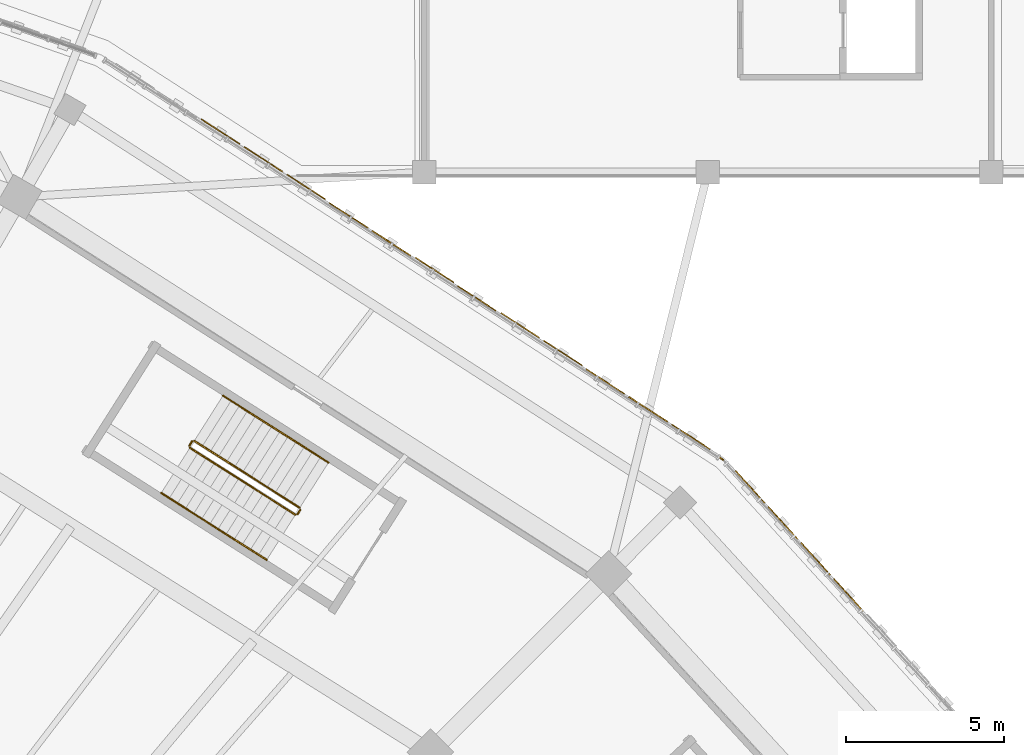
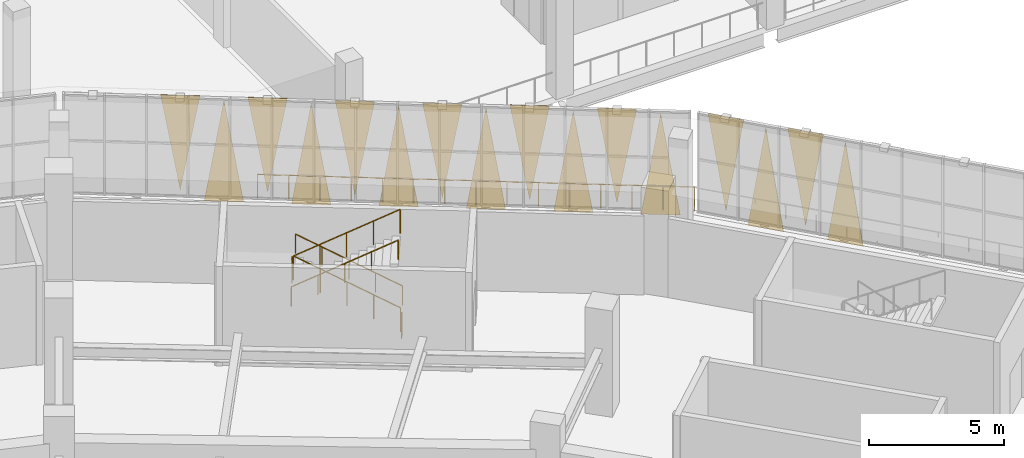
# One storey, part 173 of 179: 16 coverings, 7 railings.
"""IFC4 building model written with IfcOpenShell, lengths in metres."""

import ifcopenshell
import ifcopenshell.guid

model = None  # the IFC model being written
_history = None  # IfcOwnerHistory: only IFC2X3 demands one
_inside = {}  # id of a spatial element -> (the spatial element, [elements in it])
_under = {}  # id of a project, library or spatial element -> (it, [spatial elements below it])
_declared = {}  # id of a project -> (the project, [libraries it declares])
_typed = {}  # id of a type object -> (the type object, [elements of that type])
_made_of = {}  # id of a material, layer set ... -> (it, [elements and type objects made of it])


def new_model(schema):
    """Start an empty IFC model of exactly this schema.

    Asked for "IFC4X3", IfcOpenShell would pick the latest addendum, in which some entities
    have other attributes; the version numbers below select the first issue.
    IFC2X3 requires an IfcOwnerHistory on every rooted entity: one is made here for all.
    """
    global model, _history
    if schema == "IFC4X3":
        model = ifcopenshell.file(schema_version=(4, 3, 0, 0))
    else:
        model = ifcopenshell.file(schema=schema)
    _inside.clear()
    _under.clear()
    _declared.clear()
    _typed.clear()
    _made_of.clear()
    _history = None
    if model.schema == "IFC2X3":
        org = make("IfcOrganization", Name="unknown")
        user = make(
            "IfcPersonAndOrganization",
            ThePerson=make("IfcPerson", FamilyName="unknown"),
            TheOrganization=org,
        )
        app = make(
            "IfcApplication",
            ApplicationDeveloper=org,
            Version="unknown",
            ApplicationFullName="unknown",
            ApplicationIdentifier="unknown",
        )
        _history = make(
            "IfcOwnerHistory",
            OwningUser=user,
            OwningApplication=app,
            ChangeAction="ADDED",
            CreationDate=0,
        )
    return model


def make(cls, **values):
    """One entity of the class cls with the attributes given. An attribute that is None is left unset."""
    return model.create_entity(
        cls, **{name: value for name, value in values.items() if value is not None}
    )


def rooted(cls, **values):
    """An entity with a GlobalId (a new one), such as an element, a storey or a relation."""
    return make(cls, GlobalId=ifcopenshell.guid.new(), OwnerHistory=_history, **values)


def si_unit(unit_type, name, prefix=None):
    """IfcSIUnit, for example si_unit("LENGTHUNIT", "METRE", prefix="MILLI")."""
    return make("IfcSIUnit", UnitType=unit_type, Prefix=prefix, Name=name)


def assignment(units):
    """IfcUnitAssignment: the units of a project."""
    return None if units is None else make("IfcUnitAssignment", Units=units)


def point(xyz):
    """IfcCartesianPoint."""
    return None if xyz is None else make("IfcCartesianPoint", Coordinates=xyz)


def direction(xyz):
    """IfcDirection."""
    return None if xyz is None else make("IfcDirection", DirectionRatios=xyz)


def frame(location, z_axis=None, x_axis=None):
    """IfcAxis2Placement3D, a coordinate frame: its origin and axes. An axis left out is left unset."""
    return make(
        "IfcAxis2Placement3D",
        Location=point(location),
        Axis=direction(z_axis),
        RefDirection=direction(x_axis),
    )


def frame_2d(location, x_axis=None):
    """IfcAxis2Placement2D, a coordinate frame in the plane: its origin and x axis."""
    return make(
        "IfcAxis2Placement2D", Location=point(location), RefDirection=direction(x_axis)
    )


def origin():
    """The frame at (0, 0, 0) with its axes left unset."""
    return frame((0.0, 0.0, 0.0))


def origin_2d():
    """The frame at (0, 0) in the plane with its x axis left unset."""
    return frame_2d((0.0, 0.0))


def place(relative_to, where):
    """IfcLocalPlacement: puts the frame where relative to a parent placement (None: the world)."""
    return make(
        "IfcLocalPlacement", PlacementRelTo=relative_to, RelativePlacement=where
    )


def context(
    kind, dimensions, precision=None, world=None, true_north=None, identifier=None
):
    """IfcGeometricRepresentationContext, for example the 3D "Model" context."""
    return make(
        "IfcGeometricRepresentationContext",
        ContextIdentifier=identifier,
        ContextType=kind,
        CoordinateSpaceDimension=dimensions,
        Precision=precision,
        WorldCoordinateSystem=world,
        TrueNorth=true_north,
    )


def subcontext(parent, identifier, kind, view, scale=None):
    """IfcGeometricRepresentationSubContext, for example "Body" below "Model"."""
    return make(
        "IfcGeometricRepresentationSubContext",
        ContextIdentifier=identifier,
        ContextType=kind,
        ParentContext=parent,
        TargetScale=scale,
        TargetView=view,
    )


def project(units=None, contexts=None):
    """IfcProject with its units and contexts."""
    return rooted(
        "IfcProject",
        Name="project",
        RepresentationContexts=contexts,
        UnitsInContext=assignment(units),
    )


def spatial(cls, under=None, at=None, **own):
    """A site, building, storey or space (cls), placed at a placement, below another one or the project."""
    s = rooted(cls, ObjectPlacement=at, **own)
    if under is not None:
        _under.setdefault(under.id(), (under, []))[1].append(s)
    return s


def polyline(points):
    """IfcPolyline through the points."""
    return make("IfcPolyline", Points=[point(p) for p in points])


def profile(cls, at=None, kind="AREA", **sizes):
    """A parametric profile (cls). Its sizes go by their IFC names, for example OverallWidth=200.0."""
    return make(cls, ProfileType=kind, Position=at, **sizes)


def circle(**sizes):
    """IfcCircleProfileDef."""
    return profile("IfcCircleProfileDef", **sizes)


def outline(outer, holes=None, kind="AREA"):
    """IfcArbitraryClosedProfileDef: a profile drawn as a closed curve; with holes, ...WithVoids."""
    if holes is None:
        return make("IfcArbitraryClosedProfileDef", ProfileType=kind, OuterCurve=outer)
    return make(
        "IfcArbitraryProfileDefWithVoids",
        ProfileType=kind,
        OuterCurve=outer,
        InnerCurves=holes,
    )


def extrude(swept, where, along, depth):
    """IfcExtrudedAreaSolid: the profile swept, set in the frame where, extruded along a direction by depth."""
    return make(
        "IfcExtrudedAreaSolid",
        SweptArea=swept,
        Position=where,
        ExtrudedDirection=direction(along),
        Depth=depth,
    )


def shape(context_of_items, identifier, shape_type, items):
    """IfcShapeRepresentation: the items that make up one representation, for example the "Body"."""
    return make(
        "IfcShapeRepresentation",
        ContextOfItems=context_of_items,
        RepresentationIdentifier=identifier,
        RepresentationType=shape_type,
        Items=items,
    )


def material(Name=None, Category=None):
    """IfcMaterial."""
    return make("IfcMaterial", Name=Name, Category=Category)


def layer(
    of_material, thickness, ventilated=None, Name=None, Category=None, Priority=None
):
    """IfcMaterialLayer: one layer of a wall or slab, of a material (None: an air gap)."""
    return make(
        "IfcMaterialLayer",
        Material=of_material,
        LayerThickness=thickness,
        IsVentilated=ventilated,
        Name=Name,
        Category=Category,
        Priority=Priority,
    )


def layer_set(layers, Name=None):
    """IfcMaterialLayerSet."""
    return make("IfcMaterialLayerSet", MaterialLayers=layers, LayerSetName=Name)


def made_of(thing, what):
    """Note that an element or type object is made of a material, layer set ...; save() writes the relation."""
    if what is not None:
        _made_of.setdefault(what.id(), (what, []))[1].append(thing)
    return thing


def type_object(cls, material=None, **own):
    """A type object (cls), such as IfcWallType, which elements share."""
    return made_of(rooted(cls, **own), material)


def element(
    cls,
    number,
    at=None,
    inside=None,
    cuts=None,
    type_object=None,
    material=None,
    context=None,
    identifier="Body",
    shape_type=None,
    held_by="IfcProductDefinitionShape",
    body=None,
    shapes=None,
    **own,
):
    """One element of the class cls, such as IfcWall. Its Tag is "e" and its number.

    at: its placement. inside: the storey or other place that contains it. cuts: it is an
    opening in that element (IfcRelVoidsElement). A single representation is given by context,
    identifier, shape_type and body (its items); several are given by shapes. held_by: the class
    of the entity that holds the representations. save() writes the other relations.
    """
    e = rooted(cls, Tag="e%d" % number, ObjectPlacement=at, **own)
    if body is not None:
        shapes = [shape(context, identifier, shape_type, body)]
    if shapes is not None:
        e.Representation = make(held_by, Representations=shapes)
    if inside is not None:
        _inside.setdefault(inside.id(), (inside, []))[1].append(e)
    if cuts is not None:
        rooted(
            "IfcRelVoidsElement", RelatingBuildingElement=cuts, RelatedOpeningElement=e
        )
    if type_object is not None:
        _typed.setdefault(type_object.id(), (type_object, []))[1].append(e)
    return made_of(e, material)


def aggregate(whole, parts):
    """IfcRelAggregates: a whole, such as a stair, and the parts it consists of."""
    return rooted("IfcRelAggregates", RelatingObject=whole, RelatedObjects=parts)


def save(model, path):
    """Write the relations noted so far, then the file.

    IfcRelAggregates (storeys below a building ...), IfcRelContainedInSpatialStructure (elements
    in a storey), IfcRelDefinesByType, IfcRelAssociatesMaterial and IfcRelDeclares: one each for
    every whole, place, type object, material and project.
    """
    for whole, parts in _under.values():
        aggregate(whole, parts)
    for where, things in _inside.values():
        rooted(
            "IfcRelContainedInSpatialStructure",
            RelatedElements=things,
            RelatingStructure=where,
        )
    for kind, things in _typed.values():
        rooted("IfcRelDefinesByType", RelatedObjects=things, RelatingType=kind)
    for what, things in _made_of.values():
        rooted("IfcRelAssociatesMaterial", RelatedObjects=things, RelatingMaterial=what)
    for by, libraries in _declared.values():
        rooted("IfcRelDeclares", RelatingContext=by, RelatedDefinitions=libraries)
    model.write(path)


model = new_model("IFC4")

# Units and contexts
model_context = context("Model", 3, precision=1e-05, world=origin(), true_north=direction((0.0, 1.0)))
body_context = subcontext(model_context, "Body", "Model", "MODEL_VIEW")
ifc_project = project(units=[si_unit("LENGTHUNIT", "METRE"), si_unit("AREAUNIT", "SQUARE_METRE"), si_unit("VOLUMEUNIT", "CUBIC_METRE"), si_unit("PLANEANGLEUNIT", "RADIAN"), si_unit("MASSUNIT", "GRAM", prefix="KILO")], contexts=[model_context])

# Site, building, storey
site_placement = place(None, origin())
site = spatial("IfcSite", under=ifc_project, at=site_placement, CompositionType="ELEMENT")
building_placement = place(site_placement, origin())
building = spatial("IfcBuilding", under=site, at=building_placement, Name="Zevraka Park Crest Stadium", CompositionType="ELEMENT")
storey_placement = place(building_placement, frame((0.0, 0.0, 10.199951171875)))
storey = spatial("IfcBuildingStorey", under=building, at=storey_placement, Name="L02", CompositionType="ELEMENT", Elevation=10.199951171875)

# Coverings
ifc_material_1 = material(Name="Architectural golden-bronze perforated aluminium", Category="aluminium")
ifc_layer = layer(ifc_material_1, 0.034912109375)
ifc_layer_set = layer_set([ifc_layer], Name="Architectural golden-bronze perforated aluminium")
covering_type = type_object("IfcCoveringType", Name="CLD01", PredefinedType="CLADDING", material=ifc_layer_set)
covering_1_placement = place(storey_placement, frame((183.94091796875, 144.074951171875, -0.239990234375), z_axis=(0.739613209914, 0.673032168393, 5.347016e-06), x_axis=(-0.673032168403, 0.739613209925, 0.0)))
element("IfcCovering", 1, at=covering_1_placement, inside=storey, type_object=covering_type, Name="Triangular Golden-Bronze Perforated Cladding L02-02-11", PredefinedType="CLADDING", context=body_context, shape_type="SweptSolid", body=[
    extrude(outline(polyline([(0.0, 0.0), (1.386057564438635, 0.0), (0.69354610840767, 4.560058593815188), (0.0, 0.0)])), origin(), (0.0, 0.0, -1.0), 0.034912109375),
])
covering_2_placement = place(storey_placement, frame((181.967041015625, 146.242919921875, 4.47998046875), z_axis=(0.739533395247, 0.673119843554, 0.000183109243), x_axis=(0.673119854838, -0.739533407645, 0.0)))
element("IfcCovering", 2, at=covering_2_placement, inside=storey, type_object=covering_type, Name="Triangular Golden-Bronze Perforated Cladding L02-02-12", PredefinedType="CLADDING", context=body_context, shape_type="SweptSolid", body=[
    extrude(outline(polyline([(0.0, 0.0), (1.3858770045481608, -2.710505431213761e-20), (0.692988241732529, 4.260009837041926), (0.0, 0.0)])), origin(), (0.0, 0.0, -1.0), 0.034912109375),
])
covering_3_placement = place(storey_placement, frame((181.860107421875, 146.362060546875, -0.239990234375), z_axis=(0.739095043274, 0.673601151874, 7.212776e-05), x_axis=(-0.673601153626, 0.739095045196, 0.0)))
element("IfcCovering", 3, at=covering_3_placement, inside=storey, type_object=covering_type, Name="Triangular Golden-Bronze Perforated Cladding L02-02-13", PredefinedType="CLADDING", context=body_context, shape_type="SweptSolid", body=[
    extrude(outline(polyline([(0.0, 0.0), (1.3866989779070185, -6.776263578034403e-21), (0.6929886027009718, 4.560058605611656), (0.0, 0.0)])), origin(), (0.0, 0.0, -1.0), 0.034912109375),
])
covering_4_placement = place(storey_placement, frame((179.885986328125, 148.530029296875, 4.47998046875), z_axis=(0.739525534251, 0.67312850486, 1.1678044e-05), x_axis=(0.673128504906, -0.739525534301, 0.0)))
element("IfcCovering", 4, at=covering_4_placement, inside=storey, type_object=covering_type, Name="Triangular Golden-Bronze Perforated Cladding L02-02-14", PredefinedType="CLADDING", context=body_context, shape_type="SweptSolid", body=[
    extrude(outline(polyline([(0.0, 0.0), (1.386221890693398, -1.6940658945086007e-21), (0.6923308987535437, 4.260009765915483), (0.0, 0.0)])), origin(), (0.0, 0.0, -1.0), 0.034912109375),
])
covering_5_placement = place(storey_placement, frame((179.083984375, 149.2099609375, -0.239990234375), z_axis=(0.543285997877, 0.839547690307, 1.4543474e-05), x_axis=(-0.839547690396, 0.543285997934, 0.0)))
element("IfcCovering", 5, at=covering_5_placement, inside=storey, type_object=covering_type, Name="Triangular Golden-Bronze Perforated Cladding L02-03-1", PredefinedType="CLADDING", context=body_context, shape_type="SweptSolid", body=[
    extrude(outline(polyline([(0.0, 0.0), (1.457781335266565, 1.6940658945086007e-21), (0.7289931514822077, 4.560058594232255), (0.0, 0.0)])), origin(), (0.0, 0.0, -1.0), 0.034912109375),
])
covering_6_placement = place(storey_placement, frame((176.5009765625, 150.881103515625, 4.47998046875), z_axis=(0.543209619056, 0.839597111575, 0.0), x_axis=(0.839597111575, -0.543209619056, 0.0)))
element("IfcCovering", 6, at=covering_6_placement, inside=storey, type_object=covering_type, Name="Triangular Golden-Bronze Perforated Cladding L02-03-2", PredefinedType="CLADDING", context=body_context, shape_type="SweptSolid", body=[
    extrude(outline(polyline([(0.0, 0.0), (1.4579863089976983, 0.0), (0.7289931544988492, 4.260009765625), (0.0, 0.0)])), origin(), (0.0, 0.0, -1.0), 0.034912109375),
])
covering_7_placement = place(storey_placement, frame((176.365966796875, 150.968017578125, -0.239990234375), z_axis=(0.543285997877, 0.839547690307, 1.4543474e-05), x_axis=(-0.839547690396, 0.543285997934, 0.0)))
element("IfcCovering", 7, at=covering_7_placement, inside=storey, type_object=covering_type, Name="Triangular Golden-Bronze Perforated Cladding L02-03-3", PredefinedType="CLADDING", context=body_context, shape_type="SweptSolid", body=[
    extrude(outline(polyline([(0.0, 0.0), (1.457781335266565, 1.6940658945086007e-21), (0.7289931514822077, 4.560058594232255), (0.0, 0.0)])), origin(), (0.0, 0.0, -1.0), 0.034912109375),
])
covering_8_placement = place(storey_placement, frame((173.782958984375, 152.637939453125, 4.47998046875), z_axis=(-0.542904272256, -0.839794586369, 6.2227551e-05), x_axis=(0.839794587995, -0.542904273307, 0.0)))
element("IfcCovering", 8, at=covering_8_placement, inside=storey, type_object=covering_type, Name="Triangular Golden-Bronze Perforated Cladding L02-03-4", PredefinedType="CLADDING", context=body_context, shape_type="SweptSolid", body=[
    extrude(outline(polyline([(0.0, 0.0), (1.458806324503112, 0.0), (0.7289931063003867, -4.260009773872949), (0.0, 0.0)])), origin(), (0.0, 0.0, -1.0), 0.034912109375),
])
covering_9_placement = place(storey_placement, frame((173.64892578125, 152.72509765625, -0.239990234375), z_axis=(-0.542980582853, -0.839745247895, 7.2676489e-05), x_axis=(-0.839745250113, 0.542980584287, 0.0)))
element("IfcCovering", 9, at=covering_9_placement, inside=storey, type_object=covering_type, Name="Triangular Golden-Bronze Perforated Cladding L02-03-5", PredefinedType="CLADDING", context=body_context, shape_type="SweptSolid", body=[
    extrude(outline(polyline([(0.0, 0.0), (1.4586013025497944, 0.0), (0.7287881114493888, -4.560058605792824), (0.0, 0.0)])), origin(), (0.0, 0.0, -1.0), 0.034912109375),
])
covering_10_placement = place(storey_placement, frame((171.06494140625, 154.39599609375, 4.47998046875), z_axis=(0.542904272256, 0.839794586369, 6.2227551e-05), x_axis=(0.839794587995, -0.542904273307, 0.0)))
element("IfcCovering", 10, at=covering_10_placement, inside=storey, type_object=covering_type, Name="Triangular Golden-Bronze Perforated Cladding L02-03-6", PredefinedType="CLADDING", context=body_context, shape_type="SweptSolid", body=[
    extrude(outline(polyline([(0.0, 0.0), (1.458806324503112, 0.0), (0.729813218202725, 4.260009773872949), (0.0, 0.0)])), origin(), (0.0, 0.0, -1.0), 0.034912109375),
])
covering_11_placement = place(storey_placement, frame((170.930908203125, 154.48291015625, -0.239990234375), z_axis=(-0.543285997877, -0.839547690307, 1.4543474e-05), x_axis=(-0.839547690396, 0.543285997934, 0.0)))
element("IfcCovering", 11, at=covering_11_placement, inside=storey, type_object=covering_type, Name="Triangular Golden-Bronze Perforated Cladding L02-03-7", PredefinedType="CLADDING", context=body_context, shape_type="SweptSolid", body=[
    extrude(outline(polyline([(0.0, 0.0), (1.457781335266565, 1.6940658945086007e-21), (0.7287881837843572, -4.560058594232255), (0.0, 0.0)])), origin(), (0.0, 0.0, -1.0), 0.034912109375),
])
covering_12_placement = place(storey_placement, frame((168.347900390625, 156.154052734375, 4.47998046875), z_axis=(0.543209619056, 0.839597111575, 0.0), x_axis=(0.839597111575, -0.543209619056, 0.0)))
element("IfcCovering", 12, at=covering_12_placement, inside=storey, type_object=covering_type, Name="Triangular Golden-Bronze Perforated Cladding L02-03-8", PredefinedType="CLADDING", context=body_context, shape_type="SweptSolid", body=[
    extrude(outline(polyline([(0.0, 0.0), (1.4579863089976983, 0.0), (0.7289931544988492, 4.260009765625), (0.0, 0.0)])), origin(), (0.0, 0.0, -1.0), 0.034912109375),
])
covering_13_placement = place(storey_placement, frame((168.214111328125, 156.240966796875, -0.239990234375), z_axis=(0.54290427239, 0.839794586576, 5.813302e-05), x_axis=(-0.839794587995, 0.542904273307, 0.0)))
element("IfcCovering", 13, at=covering_13_placement, inside=storey, type_object=covering_type, Name="Triangular Golden-Bronze Perforated Cladding L02-03-9", PredefinedType="CLADDING", context=body_context, shape_type="SweptSolid", body=[
    extrude(outline(polyline([(0.0, 0.0), (1.458806324503112, 0.0), (0.729813218202725, 4.56005860145524), (0.0, 0.0)])), origin(), (0.0, 0.0, -1.0), 0.034912109375),
])
covering_14_placement = place(storey_placement, frame((165.6298828125, 157.912109375, 4.47998046875), z_axis=(-0.542904272256, -0.839794586369, 6.2227551e-05), x_axis=(0.839794587995, -0.542904273307, 0.0)))
element("IfcCovering", 14, at=covering_14_placement, inside=storey, type_object=covering_type, Name="Triangular Golden-Bronze Perforated Cladding L02-03-10", PredefinedType="CLADDING", context=body_context, shape_type="SweptSolid", body=[
    extrude(outline(polyline([(0.0, 0.0), (1.458806324503112, 0.0), (0.7289931063003867, -4.260009773872949), (0.0, 0.0)])), origin(), (0.0, 0.0, -1.0), 0.034912109375),
])
covering_15_placement = place(storey_placement, frame((165.49609375, 157.9990234375, -0.239990234375), z_axis=(-0.54290427239, -0.839794586576, 5.813302e-05), x_axis=(-0.839794587995, 0.542904273307, 0.0)))
element("IfcCovering", 15, at=covering_15_placement, inside=storey, type_object=covering_type, Name="Triangular Golden-Bronze Perforated Cladding L02-03-11", PredefinedType="CLADDING", context=body_context, shape_type="SweptSolid", body=[
    extrude(outline(polyline([(0.0, 0.0), (1.458806324503112, 0.0), (0.7289931063003867, -4.56005860145524), (0.0, 0.0)])), origin(), (0.0, 0.0, -1.0), 0.034912109375),
])
covering_16_placement = place(storey_placement, frame((162.9130859375, 159.6689453125, 4.47998046875), z_axis=(-0.543285997868, -0.839547690294, 1.5567826e-05), x_axis=(0.839547690396, -0.543285997934, 0.0)))
element("IfcCovering", 16, at=covering_16_placement, inside=storey, type_object=covering_type, Name="Triangular Golden-Bronze Perforated Cladding L02-03-12", PredefinedType="CLADDING", context=body_context, shape_type="SweptSolid", body=[
    extrude(outline(polyline([(0.0, 0.0), (1.457781335266565, -1.6940658945086007e-21), (0.7287881837843572, -4.260009766141223), (0.0, 0.0)])), origin(), (0.0, 0.0, -1.0), 0.034912109375),
])

# Railings
ifc_material_2 = material(Name="Galvanised and bronze-finished steel balustrade", Category="steel")
railing_type_1 = type_object("IfcRailingType", Name="GR01", PredefinedType="GUARDRAIL", material=ifc_material_2)
railing_1_placement = place(storey_placement, frame((165.89697265625, 157.656005859375, 0.0)))
element("IfcRailing", 17, at=railing_1_placement, inside=storey, type_object=railing_type_1, Name="Deck Edge Protection Guardrail GR01 L02-18", PredefinedType="GUARDRAIL", context=body_context, shape_type="SweptSolid", body=[
    extrude(circle(Radius=0.02392578125, at=origin_2d()), frame((0.0, 0.0, 1.076171875), z_axis=(0.839649492066, -0.543128650021, 0.0), x_axis=(0.543128650021, 0.839649492066, 0.0)), (0.0, 0.0, 1.0), 16.180419921875),
    extrude(circle(Radius=0.02099609375, at=origin_2d()), origin(), (0.0, 0.0, 1.0), 1.052001953125),
    extrude(circle(Radius=0.02099609375, at=origin_2d()), frame((0.970458984375, -0.627685546875, 0.0)), (0.0, 0.0, 1.0), 1.052001953125),
    extrude(circle(Radius=0.02099609375, at=origin_2d()), frame((1.94091796875, -1.25537109375, 0.0)), (0.0, 0.0, 1.0), 1.052001953125),
    extrude(circle(Radius=0.02099609375, at=origin_2d()), frame((2.911376953125, -1.883056640625, 0.0)), (0.0, 0.0, 1.0), 1.052001953125),
    extrude(circle(Radius=0.02099609375, at=origin_2d()), frame((3.881591796875, -2.510986328125, 0.0)), (0.0, 0.0, 1.0), 1.052001953125),
    extrude(circle(Radius=0.02099609375, at=origin_2d()), frame((4.85205078125, -3.138671875, 0.0)), (0.0, 0.0, 1.0), 1.052001953125),
    extrude(circle(Radius=0.02099609375, at=origin_2d()), frame((5.822509765625, -3.766357421875, 0.0)), (0.0, 0.0, 1.0), 1.052001953125),
    extrude(circle(Radius=0.02099609375, at=origin_2d()), frame((6.79296875, -4.39404296875, 0.0)), (0.0, 0.0, 1.0), 1.052001953125),
    extrude(circle(Radius=0.02099609375, at=origin_2d()), frame((7.763427734375, -5.021728515625, 0.0)), (0.0, 0.0, 1.0), 1.052001953125),
    extrude(circle(Radius=0.02099609375, at=origin_2d()), frame((8.73388671875, -5.6494140625, 0.0)), (0.0, 0.0, 1.0), 1.052001953125),
    extrude(circle(Radius=0.02099609375, at=origin_2d()), frame((9.704345703125, -6.277099609375, 0.0)), (0.0, 0.0, 1.0), 1.052001953125),
    extrude(circle(Radius=0.02099609375, at=origin_2d()), frame((10.674560546875, -6.905029296875, 0.0)), (0.0, 0.0, 1.0), 1.052001953125),
    extrude(circle(Radius=0.02099609375, at=origin_2d()), frame((11.64501953125, -7.53271484375, 0.0)), (0.0, 0.0, 1.0), 1.052001953125),
    extrude(circle(Radius=0.02099609375, at=origin_2d()), frame((12.615478515625, -8.160400390625, 0.0)), (0.0, 0.0, 1.0), 1.052001953125),
    extrude(circle(Radius=0.02099609375, at=origin_2d()), frame((13.5859375, -8.7880859375, 0.0)), (0.0, 0.0, 1.0), 1.052001953125),
])
ifc_material_3 = material(Name="Powder-coated tubular steel stairwell guard", Category="steel")
railing_type_2 = type_object("IfcRailingType", Name="GR03", PredefinedType="GUARDRAIL", material=ifc_material_3)
railing_2_placement = place(storey_placement, frame((166.047607421875, 147.342529296875, 0.17138671875)))
element("IfcRailing", 18, at=railing_2_placement, inside=storey, type_object=railing_type_2, Name="L02 ST04 stair guard 1", PredefinedType="GUARDRAIL", context=body_context, shape_type="SweptSolid", body=[
    extrude(circle(Radius=0.02392578125, at=origin_2d()), frame((0.0, 0.0, 1.076171875), z_axis=(-0.736079000385, 0.467013517745, 0.489985795137), x_axis=(-0.53573158449, -0.844388340386, 0.0)), (0.0, 0.0, 1.0), 4.548583984375),
    extrude(circle(Radius=0.02099609375, at=origin_2d()), origin(), (0.0, 0.0, 1.0), 1.052001953125),
    extrude(circle(Radius=0.02099609375, at=origin_2d()), frame((-0.8369140625, 0.531005859375, 0.55712890625)), (0.0, 0.0, 1.0), 1.052001953125),
    extrude(circle(Radius=0.02099609375, at=origin_2d()), frame((-1.674072265625, 1.06201171875, 1.1142578125)), (0.0, 0.0, 1.0), 1.052001953125),
    extrude(circle(Radius=0.02099609375, at=origin_2d()), frame((-2.51123046875, 1.59326171875, 1.671630859375)), (0.0, 0.0, 1.0), 1.052001953125),
    extrude(circle(Radius=0.02099609375, at=origin_2d()), frame((-3.34814453125, 2.124267578125, 2.228759765625)), (0.0, 0.0, 1.0), 1.052001953125),
])
railing_3_placement = place(storey_placement, frame((162.63037109375, 149.451171875, 2.400146484375)))
element("IfcRailing", 19, at=railing_3_placement, inside=storey, type_object=railing_type_2, Name="L02 ST04 stair guard 2", PredefinedType="GUARDRAIL", context=body_context, shape_type="SweptSolid", body=[
    extrude(circle(Radius=0.02392578125, at=origin_2d()), frame((0.0, 0.0, 1.076171875), z_axis=(-0.535887230789, -0.844289568736, 0.0), x_axis=(0.844289568736, -0.535887230789, 0.0)), (0.0, 0.0, 1.0), 0.159912109375),
    extrude(circle(Radius=0.02099609375, at=origin_2d()), origin(), (0.0, 0.0, 1.0), 1.052001953125),
    extrude(circle(Radius=0.02099609375, at=origin_2d()), frame((-0.085693359375, -0.135009765625, 0.0)), (0.0, 0.0, 1.0), 1.052001953125),
])
railing_4_placement = place(storey_placement, frame((162.56005859375, 149.2470703125, 2.571533203125)))
element("IfcRailing", 20, at=railing_4_placement, inside=storey, type_object=railing_type_2, Name="L02 ST04 stair guard 3", PredefinedType="GUARDRAIL", context=body_context, shape_type="SweptSolid", body=[
    extrude(circle(Radius=0.02392578125, at=origin_2d()), frame((0.0, 0.0, 1.076171875), z_axis=(0.736116810277, -0.466983830349, 0.48995728775), x_axis=(0.535687682518, 0.84441619288, 0.0)), (0.0, 0.0, 1.0), 4.54833984375),
    extrude(circle(Radius=0.02099609375, at=origin_2d()), origin(), (0.0, 0.0, 1.0), 1.052001953125),
    extrude(circle(Radius=0.02099609375, at=origin_2d()), frame((0.8369140625, -0.531005859375, 0.55712890625)), (0.0, 0.0, 1.0), 1.052001953125),
    extrude(circle(Radius=0.02099609375, at=origin_2d()), frame((1.674072265625, -1.06201171875, 1.1142578125)), (0.0, 0.0, 1.0), 1.052001953125),
    extrude(circle(Radius=0.02099609375, at=origin_2d()), frame((2.51123046875, -1.593017578125, 1.67138671875)), (0.0, 0.0, 1.0), 1.052001953125),
    extrude(circle(Radius=0.02099609375, at=origin_2d()), frame((3.34814453125, -2.1240234375, 2.228515625)), (0.0, 0.0, 1.0), 1.052001953125),
])
railing_5_placement = place(storey_placement, frame((166.06298828125, 147.273681640625, 0.0)))
element("IfcRailing", 21, at=railing_5_placement, inside=storey, type_object=railing_type_2, Name="L02 ST04 stair guard 4", PredefinedType="GUARDRAIL", context=body_context, shape_type="SweptSolid", body=[
    extrude(circle(Radius=0.02392578125, at=origin_2d()), frame((0.0, 0.0, 1.076171875), z_axis=(-0.535197175111, -0.844727165275, 0.0), x_axis=(0.844727165275, -0.535197175111, 0.0)), (0.0, 0.0, 1.0), 0.16015625),
    extrude(circle(Radius=0.02099609375, at=origin_2d()), origin(), (0.0, 0.0, 1.0), 1.052001953125),
    extrude(circle(Radius=0.02099609375, at=origin_2d()), frame((-0.085693359375, -0.13525390625, 0.0)), (0.0, 0.0, 1.0), 1.052001953125),
])
ifc_material_4 = material(Name="Brushed stainless steel continuous handrail", Category="steel")
railing_type_3 = type_object("IfcRailingType", Name="HR01", PredefinedType="HANDRAIL", material=ifc_material_4)
railing_6_placement = place(storey_placement, frame((166.958251953125, 148.778076171875, 0.17138671875)))
element("IfcRailing", 22, at=railing_6_placement, inside=storey, type_object=railing_type_3, Name="L02 ST04 stair handrail 1", PredefinedType="HANDRAIL", context=body_context, shape_type="SweptSolid", body=[
    extrude(circle(Radius=0.02392578125, at=origin_2d()), frame((0.0, 0.0, 0.8759765625), z_axis=(-0.736097450774, 0.466971548909, 0.48999807701), x_axis=(-0.535687682518, -0.84441619288, 0.0)), (0.0, 0.0, 1.0), 4.548583984375),
    extrude(circle(Radius=0.02099609375, at=origin_2d()), origin(), (0.0, 0.0, 1.0), 0.851806640625),
    extrude(circle(Radius=0.02099609375, at=origin_2d()), frame((-0.8369140625, 0.531005859375, 0.55712890625)), (0.0, 0.0, 1.0), 0.851806640625),
    extrude(circle(Radius=0.02099609375, at=origin_2d()), frame((-1.674072265625, 1.06201171875, 1.1142578125)), (0.0, 0.0, 1.0), 0.851806640625),
    extrude(circle(Radius=0.02099609375, at=origin_2d()), frame((-2.51123046875, 1.593017578125, 1.671630859375)), (0.0, 0.0, 1.0), 0.851806640625),
    extrude(circle(Radius=0.02099609375, at=origin_2d()), frame((-3.34814453125, 2.1240234375, 2.228759765625)), (0.0, 0.0, 1.0), 0.851806640625),
])
railing_7_placement = place(storey_placement, frame((161.6494140625, 147.811767578125, 2.571533203125)))
element("IfcRailing", 23, at=railing_7_placement, inside=storey, type_object=railing_type_3, Name="L02 ST04 stair handrail 2", PredefinedType="HANDRAIL", context=body_context, shape_type="SweptSolid", body=[
    extrude(circle(Radius=0.02392578125, at=origin_2d()), frame((0.0, 0.0, 0.8759765625), z_axis=(0.736098358432, -0.467025799673, 0.489945006254), x_axis=(0.53573158449, 0.844388340386, 0.0)), (0.0, 0.0, 1.0), 4.548583984375),
    extrude(circle(Radius=0.02099609375, at=origin_2d()), origin(), (0.0, 0.0, 1.0), 0.851806640625),
    extrude(circle(Radius=0.02099609375, at=origin_2d()), frame((0.8369140625, -0.531005859375, 0.55712890625)), (0.0, 0.0, 1.0), 0.851806640625),
    extrude(circle(Radius=0.02099609375, at=origin_2d()), frame((1.674072265625, -1.06201171875, 1.1142578125)), (0.0, 0.0, 1.0), 0.851806640625),
    extrude(circle(Radius=0.02099609375, at=origin_2d()), frame((2.51123046875, -1.59326171875, 1.67138671875)), (0.0, 0.0, 1.0), 0.851806640625),
    extrude(circle(Radius=0.02099609375, at=origin_2d()), frame((3.34814453125, -2.124267578125, 2.228515625)), (0.0, 0.0, 1.0), 0.851806640625),
])

save(model, "model.ifc")
